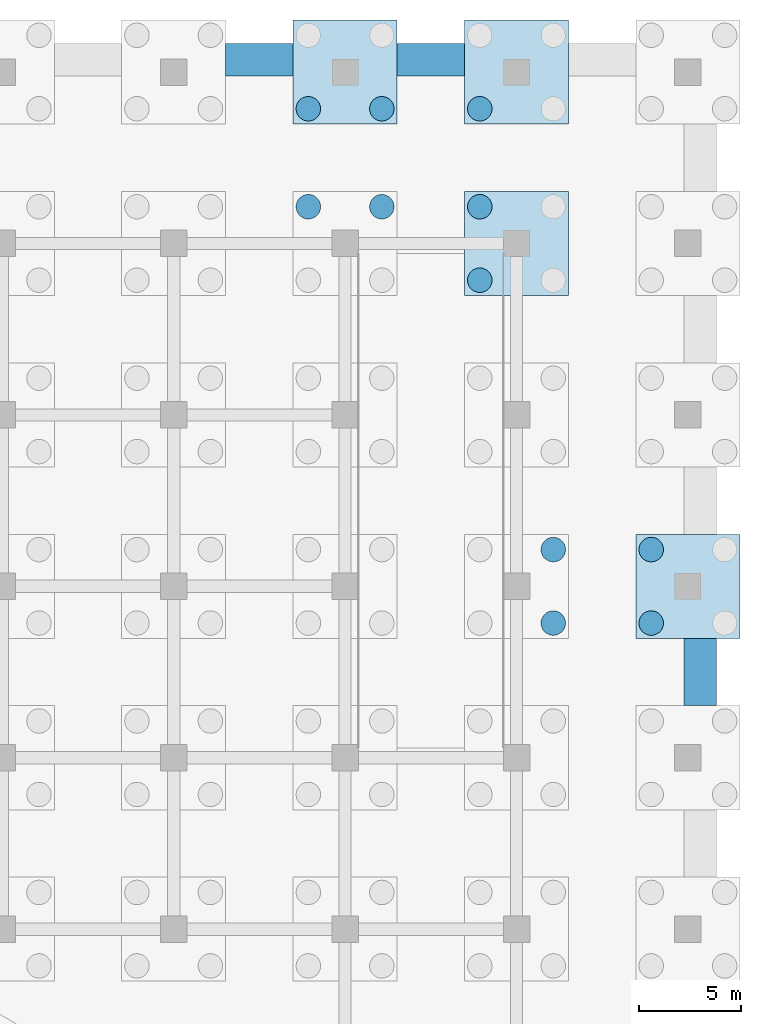
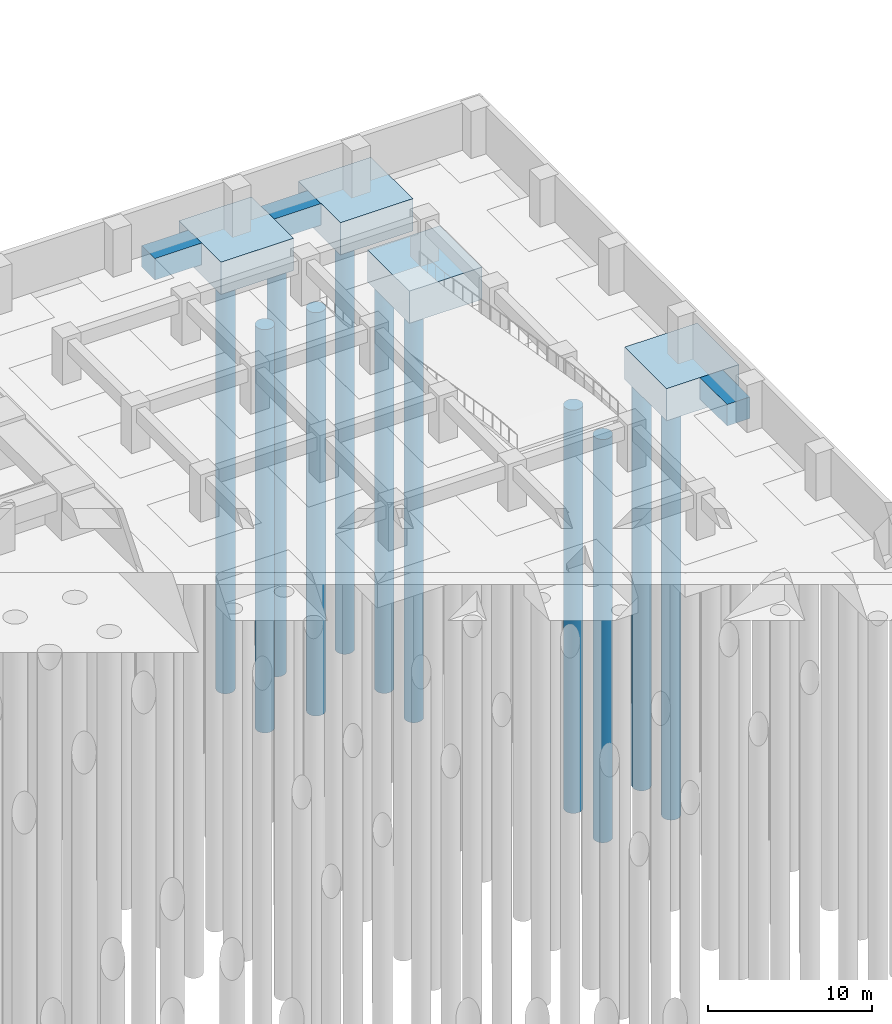
# One storey, part 45 of 73: 11 piles, 7 footings.
"""IFC4 building model written with IfcOpenShell, lengths in metres."""

from ifc_helpers import new_model, si_unit, direction, frame, origin, origin_2d, place, context, subcontext, project, spatial, polyline, circle, outline, extrude, material, material_profile, profile_set, type_object, element, save


model = new_model("IFC4")

# Units and contexts
model_context = context("Model", 3, precision=1e-05, world=origin(), true_north=direction((0.0, 1.0)))
body_context = subcontext(model_context, "Body", "Model", "MODEL_VIEW")
ifc_project = project(units=[si_unit("LENGTHUNIT", "METRE"), si_unit("AREAUNIT", "SQUARE_METRE"), si_unit("VOLUMEUNIT", "CUBIC_METRE"), si_unit("PLANEANGLEUNIT", "RADIAN"), si_unit("MASSUNIT", "GRAM", prefix="KILO")], contexts=[model_context])

# Site, building, storey
site_placement = place(None, origin())
site = spatial("IfcSite", under=ifc_project, at=site_placement, CompositionType="ELEMENT")
building_placement = place(site_placement, origin())
building = spatial("IfcBuilding", under=site, at=building_placement, Name="Impinga Residences", CompositionType="ELEMENT")
storey_placement = place(building_placement, frame((0.0, 0.0, -10.5)))
storey = spatial("IfcBuildingStorey", under=building, at=storey_placement, Name="B3", CompositionType="ELEMENT", Elevation=-10.5)

# Piles
ifc_material_1 = material(Name="Concrete C35/45", Category="concrete")
ifc_material_profile = material_profile(ifc_material_1, circle(Radius=0.60009765625, at=origin_2d()), Name="D1200")
ifc_profile_set = profile_set([ifc_material_profile], Name="Concrete C35/45")
pile_type = type_object("IfcPileType", Name="BP2 bored pile D1200", PredefinedType="BORED", material=ifc_profile_set)
pile_1_placement = place(storey_placement, frame((35.39990234375, 43.800048828125, -2.39990234375), z_axis=(0.0, 0.0, -1.0), x_axis=(1.0, 0.0, 0.0)))
element("IfcPile", 1, at=pile_1_placement, inside=storey, type_object=pile_type, Name="Cap pile BP2 11/L-3", PredefinedType="BORED", context=body_context, shape_type="SweptSolid", body=[
    extrude(outline(polyline([(0.60009765625, 0.0), (0.59716796875, 0.058837890625), (0.58837890625, 0.116943359375), (0.57421875, 0.174072265625), (0.554443359375, 0.2294921875), (0.529052734375, 0.282958984375), (0.498779296875, 0.333251953125), (0.4638671875, 0.380615234375), (0.42431640625, 0.42431640625), (0.380615234375, 0.4638671875), (0.333251953125, 0.498779296875), (0.282958984375, 0.529052734375), (0.2294921875, 0.554443359375), (0.174072265625, 0.57421875), (0.116943359375, 0.58837890625), (0.058837890625, 0.59716796875), (0.0, 0.60009765625), (-0.058837890625, 0.59716796875), (-0.116943359375, 0.58837890625), (-0.174072265625, 0.57421875), (-0.2294921875, 0.554443359375), (-0.282958984375, 0.529052734375), (-0.333251953125, 0.498779296875), (-0.380615234375, 0.4638671875), (-0.42431640625, 0.42431640625), (-0.4638671875, 0.380615234375), (-0.498779296875, 0.333251953125), (-0.529052734375, 0.282958984375), (-0.554443359375, 0.2294921875), (-0.57421875, 0.174072265625), (-0.58837890625, 0.116943359375), (-0.59716796875, 0.058837890625), (-0.60009765625, 0.0), (-0.59716796875, -0.058837890625), (-0.58837890625, -0.116943359375), (-0.57421875, -0.174072265625), (-0.554443359375, -0.2294921875), (-0.529052734375, -0.282958984375), (-0.498779296875, -0.333251953125), (-0.4638671875, -0.380615234375), (-0.42431640625, -0.42431640625), (-0.380615234375, -0.4638671875), (-0.333251953125, -0.498779296875), (-0.282958984375, -0.529052734375), (-0.2294921875, -0.554443359375), (-0.174072265625, -0.57421875), (-0.116943359375, -0.58837890625), (-0.058837890625, -0.59716796875), (0.0, -0.60009765625), (0.058837890625, -0.59716796875), (0.116943359375, -0.58837890625), (0.174072265625, -0.57421875), (0.2294921875, -0.554443359375), (0.282958984375, -0.529052734375), (0.333251953125, -0.498779296875), (0.380615234375, -0.4638671875), (0.42431640625, -0.42431640625), (0.4638671875, -0.380615234375), (0.498779296875, -0.333251953125), (0.529052734375, -0.282958984375), (0.554443359375, -0.2294921875), (0.57421875, -0.174072265625), (0.58837890625, -0.116943359375), (0.59716796875, -0.058837890625), (0.60009765625, 0.0)])), origin(), (0.0, 0.0, 1.0), 30.0),
])
pile_2_placement = place(storey_placement, frame((31.800048828125, 43.800048828125, -2.39990234375), z_axis=(0.0, 0.0, -1.0), x_axis=(1.0, 0.0, 0.0)))
element("IfcPile", 2, at=pile_2_placement, inside=storey, type_object=pile_type, Name="Cap pile BP2 11/L-4", PredefinedType="BORED", context=body_context, shape_type="SweptSolid", body=[
    extrude(outline(polyline([(0.60009765625, 0.0), (0.59716796875, 0.058837890625), (0.58837890625, 0.116943359375), (0.57421875, 0.174072265625), (0.554443359375, 0.2294921875), (0.529052734375, 0.282958984375), (0.498779296875, 0.333251953125), (0.4638671875, 0.380615234375), (0.42431640625, 0.42431640625), (0.380615234375, 0.4638671875), (0.333251953125, 0.498779296875), (0.282958984375, 0.529052734375), (0.2294921875, 0.554443359375), (0.174072265625, 0.57421875), (0.116943359375, 0.58837890625), (0.058837890625, 0.59716796875), (0.0, 0.60009765625), (-0.058837890625, 0.59716796875), (-0.116943359375, 0.58837890625), (-0.174072265625, 0.57421875), (-0.2294921875, 0.554443359375), (-0.282958984375, 0.529052734375), (-0.333251953125, 0.498779296875), (-0.380615234375, 0.4638671875), (-0.42431640625, 0.42431640625), (-0.4638671875, 0.380615234375), (-0.498779296875, 0.333251953125), (-0.529052734375, 0.282958984375), (-0.554443359375, 0.2294921875), (-0.57421875, 0.174072265625), (-0.58837890625, 0.116943359375), (-0.59716796875, 0.058837890625), (-0.60009765625, 0.0), (-0.59716796875, -0.058837890625), (-0.58837890625, -0.116943359375), (-0.57421875, -0.174072265625), (-0.554443359375, -0.2294921875), (-0.529052734375, -0.282958984375), (-0.498779296875, -0.333251953125), (-0.4638671875, -0.380615234375), (-0.42431640625, -0.42431640625), (-0.380615234375, -0.4638671875), (-0.333251953125, -0.498779296875), (-0.282958984375, -0.529052734375), (-0.2294921875, -0.554443359375), (-0.174072265625, -0.57421875), (-0.116943359375, -0.58837890625), (-0.058837890625, -0.59716796875), (0.0, -0.60009765625), (0.058837890625, -0.59716796875), (0.116943359375, -0.58837890625), (0.174072265625, -0.57421875), (0.2294921875, -0.554443359375), (0.282958984375, -0.529052734375), (0.333251953125, -0.498779296875), (0.380615234375, -0.4638671875), (0.42431640625, -0.42431640625), (0.4638671875, -0.380615234375), (0.498779296875, -0.333251953125), (0.529052734375, -0.282958984375), (0.554443359375, -0.2294921875), (0.57421875, -0.174072265625), (0.58837890625, -0.116943359375), (0.59716796875, -0.058837890625), (0.60009765625, 0.0)])), origin(), (0.0, 0.0, 1.0), 30.0),
])
pile_3_placement = place(storey_placement, frame((31.800048828125, 48.60009765625, -2.39990234375), z_axis=(0.0, 0.0, -1.0), x_axis=(1.0, 0.0, 0.0)))
element("IfcPile", 3, at=pile_3_placement, inside=storey, type_object=pile_type, Name="Cap pile BP2 11/M-1", PredefinedType="BORED", context=body_context, shape_type="SweptSolid", body=[
    extrude(outline(polyline([(0.60009765625, 0.0), (0.59716796875, 0.058837890625), (0.58837890625, 0.116943359375), (0.57421875, 0.174072265625), (0.554443359375, 0.2294921875), (0.529052734375, 0.282958984375), (0.498779296875, 0.333251953125), (0.4638671875, 0.380615234375), (0.42431640625, 0.42431640625), (0.380615234375, 0.4638671875), (0.333251953125, 0.498779296875), (0.282958984375, 0.529052734375), (0.2294921875, 0.554443359375), (0.174072265625, 0.57421875), (0.116943359375, 0.58837890625), (0.058837890625, 0.59716796875), (0.0, 0.60009765625), (-0.058837890625, 0.59716796875), (-0.116943359375, 0.58837890625), (-0.174072265625, 0.57421875), (-0.2294921875, 0.554443359375), (-0.282958984375, 0.529052734375), (-0.333251953125, 0.498779296875), (-0.380615234375, 0.4638671875), (-0.42431640625, 0.42431640625), (-0.4638671875, 0.380615234375), (-0.498779296875, 0.333251953125), (-0.529052734375, 0.282958984375), (-0.554443359375, 0.2294921875), (-0.57421875, 0.174072265625), (-0.58837890625, 0.116943359375), (-0.59716796875, 0.058837890625), (-0.60009765625, 0.0), (-0.59716796875, -0.058837890625), (-0.58837890625, -0.116943359375), (-0.57421875, -0.174072265625), (-0.554443359375, -0.2294921875), (-0.529052734375, -0.282958984375), (-0.498779296875, -0.333251953125), (-0.4638671875, -0.380615234375), (-0.42431640625, -0.42431640625), (-0.380615234375, -0.4638671875), (-0.333251953125, -0.498779296875), (-0.282958984375, -0.529052734375), (-0.2294921875, -0.554443359375), (-0.174072265625, -0.57421875), (-0.116943359375, -0.58837890625), (-0.058837890625, -0.59716796875), (0.0, -0.60009765625), (0.058837890625, -0.59716796875), (0.116943359375, -0.58837890625), (0.174072265625, -0.57421875), (0.2294921875, -0.554443359375), (0.282958984375, -0.529052734375), (0.333251953125, -0.498779296875), (0.380615234375, -0.4638671875), (0.42431640625, -0.42431640625), (0.4638671875, -0.380615234375), (0.498779296875, -0.333251953125), (0.529052734375, -0.282958984375), (0.554443359375, -0.2294921875), (0.57421875, -0.174072265625), (0.58837890625, -0.116943359375), (0.59716796875, -0.058837890625), (0.60009765625, 0.0)])), origin(), (0.0, 0.0, 1.0), 30.0),
])
pile_4_placement = place(storey_placement, frame((35.39990234375, 48.60009765625, -2.39990234375), z_axis=(0.0, 0.0, -1.0), x_axis=(1.0, 0.0, 0.0)))
element("IfcPile", 4, at=pile_4_placement, inside=storey, type_object=pile_type, Name="Cap pile BP2 11/M-2", PredefinedType="BORED", context=body_context, shape_type="SweptSolid", body=[
    extrude(outline(polyline([(0.60009765625, 0.0), (0.59716796875, 0.058837890625), (0.58837890625, 0.116943359375), (0.57421875, 0.174072265625), (0.554443359375, 0.2294921875), (0.529052734375, 0.282958984375), (0.498779296875, 0.333251953125), (0.4638671875, 0.380615234375), (0.42431640625, 0.42431640625), (0.380615234375, 0.4638671875), (0.333251953125, 0.498779296875), (0.282958984375, 0.529052734375), (0.2294921875, 0.554443359375), (0.174072265625, 0.57421875), (0.116943359375, 0.58837890625), (0.058837890625, 0.59716796875), (0.0, 0.60009765625), (-0.058837890625, 0.59716796875), (-0.116943359375, 0.58837890625), (-0.174072265625, 0.57421875), (-0.2294921875, 0.554443359375), (-0.282958984375, 0.529052734375), (-0.333251953125, 0.498779296875), (-0.380615234375, 0.4638671875), (-0.42431640625, 0.42431640625), (-0.4638671875, 0.380615234375), (-0.498779296875, 0.333251953125), (-0.529052734375, 0.282958984375), (-0.554443359375, 0.2294921875), (-0.57421875, 0.174072265625), (-0.58837890625, 0.116943359375), (-0.59716796875, 0.058837890625), (-0.60009765625, 0.0), (-0.59716796875, -0.058837890625), (-0.58837890625, -0.116943359375), (-0.57421875, -0.174072265625), (-0.554443359375, -0.2294921875), (-0.529052734375, -0.282958984375), (-0.498779296875, -0.333251953125), (-0.4638671875, -0.380615234375), (-0.42431640625, -0.42431640625), (-0.380615234375, -0.4638671875), (-0.333251953125, -0.498779296875), (-0.282958984375, -0.529052734375), (-0.2294921875, -0.554443359375), (-0.174072265625, -0.57421875), (-0.116943359375, -0.58837890625), (-0.058837890625, -0.59716796875), (0.0, -0.60009765625), (0.058837890625, -0.59716796875), (0.116943359375, -0.58837890625), (0.174072265625, -0.57421875), (0.2294921875, -0.554443359375), (0.282958984375, -0.529052734375), (0.333251953125, -0.498779296875), (0.380615234375, -0.4638671875), (0.42431640625, -0.42431640625), (0.4638671875, -0.380615234375), (0.498779296875, -0.333251953125), (0.529052734375, -0.282958984375), (0.554443359375, -0.2294921875), (0.57421875, -0.174072265625), (0.58837890625, -0.116943359375), (0.59716796875, -0.058837890625), (0.60009765625, 0.0)])), origin(), (0.0, 0.0, 1.0), 30.0),
])
pile_5_placement = place(storey_placement, frame((43.800048828125, 23.39990234375, -2.39990234375), z_axis=(0.0, 0.0, -1.0), x_axis=(1.0, 0.0, 0.0)))
element("IfcPile", 5, at=pile_5_placement, inside=storey, type_object=pile_type, Name="Cap pile BP2 12/J-2", PredefinedType="BORED", context=body_context, shape_type="SweptSolid", body=[
    extrude(outline(polyline([(0.60009765625, 0.0), (0.59716796875, 0.058837890625), (0.58837890625, 0.116943359375), (0.57421875, 0.174072265625), (0.554443359375, 0.2294921875), (0.529052734375, 0.282958984375), (0.498779296875, 0.333251953125), (0.4638671875, 0.380615234375), (0.42431640625, 0.42431640625), (0.380615234375, 0.4638671875), (0.333251953125, 0.498779296875), (0.282958984375, 0.529052734375), (0.2294921875, 0.554443359375), (0.174072265625, 0.57421875), (0.116943359375, 0.58837890625), (0.058837890625, 0.59716796875), (0.0, 0.60009765625), (-0.058837890625, 0.59716796875), (-0.116943359375, 0.58837890625), (-0.174072265625, 0.57421875), (-0.2294921875, 0.554443359375), (-0.282958984375, 0.529052734375), (-0.333251953125, 0.498779296875), (-0.380615234375, 0.4638671875), (-0.42431640625, 0.42431640625), (-0.4638671875, 0.380615234375), (-0.498779296875, 0.333251953125), (-0.529052734375, 0.282958984375), (-0.554443359375, 0.2294921875), (-0.57421875, 0.174072265625), (-0.58837890625, 0.116943359375), (-0.59716796875, 0.058837890625), (-0.60009765625, 0.0), (-0.59716796875, -0.058837890625), (-0.58837890625, -0.116943359375), (-0.57421875, -0.174072265625), (-0.554443359375, -0.2294921875), (-0.529052734375, -0.282958984375), (-0.498779296875, -0.333251953125), (-0.4638671875, -0.380615234375), (-0.42431640625, -0.42431640625), (-0.380615234375, -0.4638671875), (-0.333251953125, -0.498779296875), (-0.282958984375, -0.529052734375), (-0.2294921875, -0.554443359375), (-0.174072265625, -0.57421875), (-0.116943359375, -0.58837890625), (-0.058837890625, -0.59716796875), (0.0, -0.60009765625), (0.058837890625, -0.59716796875), (0.116943359375, -0.58837890625), (0.174072265625, -0.57421875), (0.2294921875, -0.554443359375), (0.282958984375, -0.529052734375), (0.333251953125, -0.498779296875), (0.380615234375, -0.4638671875), (0.42431640625, -0.42431640625), (0.4638671875, -0.380615234375), (0.498779296875, -0.333251953125), (0.529052734375, -0.282958984375), (0.554443359375, -0.2294921875), (0.57421875, -0.174072265625), (0.58837890625, -0.116943359375), (0.59716796875, -0.058837890625), (0.60009765625, 0.0)])), origin(), (0.0, 0.0, 1.0), 30.0),
])
pile_6_placement = place(storey_placement, frame((43.800048828125, 27.0, -2.39990234375), z_axis=(0.0, 0.0, -1.0), x_axis=(1.0, 0.0, 0.0)))
element("IfcPile", 6, at=pile_6_placement, inside=storey, type_object=pile_type, Name="Cap pile BP2 12/J-3", PredefinedType="BORED", context=body_context, shape_type="SweptSolid", body=[
    extrude(outline(polyline([(0.60009765625, 0.0), (0.59716796875, 0.058837890625), (0.58837890625, 0.116943359375), (0.57421875, 0.174072265625), (0.554443359375, 0.2294921875), (0.529052734375, 0.282958984375), (0.498779296875, 0.333251953125), (0.4638671875, 0.380615234375), (0.42431640625, 0.42431640625), (0.380615234375, 0.4638671875), (0.333251953125, 0.498779296875), (0.282958984375, 0.529052734375), (0.2294921875, 0.554443359375), (0.174072265625, 0.57421875), (0.116943359375, 0.58837890625), (0.058837890625, 0.59716796875), (0.0, 0.60009765625), (-0.058837890625, 0.59716796875), (-0.116943359375, 0.58837890625), (-0.174072265625, 0.57421875), (-0.2294921875, 0.554443359375), (-0.282958984375, 0.529052734375), (-0.333251953125, 0.498779296875), (-0.380615234375, 0.4638671875), (-0.42431640625, 0.42431640625), (-0.4638671875, 0.380615234375), (-0.498779296875, 0.333251953125), (-0.529052734375, 0.282958984375), (-0.554443359375, 0.2294921875), (-0.57421875, 0.174072265625), (-0.58837890625, 0.116943359375), (-0.59716796875, 0.058837890625), (-0.60009765625, 0.0), (-0.59716796875, -0.058837890625), (-0.58837890625, -0.116943359375), (-0.57421875, -0.174072265625), (-0.554443359375, -0.2294921875), (-0.529052734375, -0.282958984375), (-0.498779296875, -0.333251953125), (-0.4638671875, -0.380615234375), (-0.42431640625, -0.42431640625), (-0.380615234375, -0.4638671875), (-0.333251953125, -0.498779296875), (-0.282958984375, -0.529052734375), (-0.2294921875, -0.554443359375), (-0.174072265625, -0.57421875), (-0.116943359375, -0.58837890625), (-0.058837890625, -0.59716796875), (0.0, -0.60009765625), (0.058837890625, -0.59716796875), (0.116943359375, -0.58837890625), (0.174072265625, -0.57421875), (0.2294921875, -0.554443359375), (0.282958984375, -0.529052734375), (0.333251953125, -0.498779296875), (0.380615234375, -0.4638671875), (0.42431640625, -0.42431640625), (0.4638671875, -0.380615234375), (0.498779296875, -0.333251953125), (0.529052734375, -0.282958984375), (0.554443359375, -0.2294921875), (0.57421875, -0.174072265625), (0.58837890625, -0.116943359375), (0.59716796875, -0.058837890625), (0.60009765625, 0.0)])), origin(), (0.0, 0.0, 1.0), 30.0),
])
pile_7_placement = place(storey_placement, frame((40.199951171875, 40.199951171875, -2.39990234375), z_axis=(0.0, 0.0, -1.0), x_axis=(1.0, 0.0, 0.0)))
element("IfcPile", 7, at=pile_7_placement, inside=storey, type_object=pile_type, Name="Cap pile BP2 12/L-1", PredefinedType="BORED", context=body_context, shape_type="SweptSolid", body=[
    extrude(outline(polyline([(0.60009765625, 0.0), (0.59716796875, 0.058837890625), (0.58837890625, 0.116943359375), (0.57421875, 0.174072265625), (0.554443359375, 0.2294921875), (0.529052734375, 0.282958984375), (0.498779296875, 0.333251953125), (0.4638671875, 0.380615234375), (0.42431640625, 0.42431640625), (0.380615234375, 0.4638671875), (0.333251953125, 0.498779296875), (0.282958984375, 0.529052734375), (0.2294921875, 0.554443359375), (0.174072265625, 0.57421875), (0.116943359375, 0.58837890625), (0.058837890625, 0.59716796875), (0.0, 0.60009765625), (-0.058837890625, 0.59716796875), (-0.116943359375, 0.58837890625), (-0.174072265625, 0.57421875), (-0.2294921875, 0.554443359375), (-0.282958984375, 0.529052734375), (-0.333251953125, 0.498779296875), (-0.380615234375, 0.4638671875), (-0.42431640625, 0.42431640625), (-0.4638671875, 0.380615234375), (-0.498779296875, 0.333251953125), (-0.529052734375, 0.282958984375), (-0.554443359375, 0.2294921875), (-0.57421875, 0.174072265625), (-0.58837890625, 0.116943359375), (-0.59716796875, 0.058837890625), (-0.60009765625, 0.0), (-0.59716796875, -0.058837890625), (-0.58837890625, -0.116943359375), (-0.57421875, -0.174072265625), (-0.554443359375, -0.2294921875), (-0.529052734375, -0.282958984375), (-0.498779296875, -0.333251953125), (-0.4638671875, -0.380615234375), (-0.42431640625, -0.42431640625), (-0.380615234375, -0.4638671875), (-0.333251953125, -0.498779296875), (-0.282958984375, -0.529052734375), (-0.2294921875, -0.554443359375), (-0.174072265625, -0.57421875), (-0.116943359375, -0.58837890625), (-0.058837890625, -0.59716796875), (0.0, -0.60009765625), (0.058837890625, -0.59716796875), (0.116943359375, -0.58837890625), (0.174072265625, -0.57421875), (0.2294921875, -0.554443359375), (0.282958984375, -0.529052734375), (0.333251953125, -0.498779296875), (0.380615234375, -0.4638671875), (0.42431640625, -0.42431640625), (0.4638671875, -0.380615234375), (0.498779296875, -0.333251953125), (0.529052734375, -0.282958984375), (0.554443359375, -0.2294921875), (0.57421875, -0.174072265625), (0.58837890625, -0.116943359375), (0.59716796875, -0.058837890625), (0.60009765625, 0.0)])), origin(), (0.0, 0.0, 1.0), 30.0),
])
pile_8_placement = place(storey_placement, frame((40.199951171875, 43.800048828125, -2.39990234375), z_axis=(0.0, 0.0, -1.0), x_axis=(1.0, 0.0, 0.0)))
element("IfcPile", 8, at=pile_8_placement, inside=storey, type_object=pile_type, Name="Cap pile BP2 12/L-4", PredefinedType="BORED", context=body_context, shape_type="SweptSolid", body=[
    extrude(outline(polyline([(0.60009765625, 0.0), (0.59716796875, 0.058837890625), (0.58837890625, 0.116943359375), (0.57421875, 0.174072265625), (0.554443359375, 0.2294921875), (0.529052734375, 0.282958984375), (0.498779296875, 0.333251953125), (0.4638671875, 0.380615234375), (0.42431640625, 0.42431640625), (0.380615234375, 0.4638671875), (0.333251953125, 0.498779296875), (0.282958984375, 0.529052734375), (0.2294921875, 0.554443359375), (0.174072265625, 0.57421875), (0.116943359375, 0.58837890625), (0.058837890625, 0.59716796875), (0.0, 0.60009765625), (-0.058837890625, 0.59716796875), (-0.116943359375, 0.58837890625), (-0.174072265625, 0.57421875), (-0.2294921875, 0.554443359375), (-0.282958984375, 0.529052734375), (-0.333251953125, 0.498779296875), (-0.380615234375, 0.4638671875), (-0.42431640625, 0.42431640625), (-0.4638671875, 0.380615234375), (-0.498779296875, 0.333251953125), (-0.529052734375, 0.282958984375), (-0.554443359375, 0.2294921875), (-0.57421875, 0.174072265625), (-0.58837890625, 0.116943359375), (-0.59716796875, 0.058837890625), (-0.60009765625, 0.0), (-0.59716796875, -0.058837890625), (-0.58837890625, -0.116943359375), (-0.57421875, -0.174072265625), (-0.554443359375, -0.2294921875), (-0.529052734375, -0.282958984375), (-0.498779296875, -0.333251953125), (-0.4638671875, -0.380615234375), (-0.42431640625, -0.42431640625), (-0.380615234375, -0.4638671875), (-0.333251953125, -0.498779296875), (-0.282958984375, -0.529052734375), (-0.2294921875, -0.554443359375), (-0.174072265625, -0.57421875), (-0.116943359375, -0.58837890625), (-0.058837890625, -0.59716796875), (0.0, -0.60009765625), (0.058837890625, -0.59716796875), (0.116943359375, -0.58837890625), (0.174072265625, -0.57421875), (0.2294921875, -0.554443359375), (0.282958984375, -0.529052734375), (0.333251953125, -0.498779296875), (0.380615234375, -0.4638671875), (0.42431640625, -0.42431640625), (0.4638671875, -0.380615234375), (0.498779296875, -0.333251953125), (0.529052734375, -0.282958984375), (0.554443359375, -0.2294921875), (0.57421875, -0.174072265625), (0.58837890625, -0.116943359375), (0.59716796875, -0.058837890625), (0.60009765625, 0.0)])), origin(), (0.0, 0.0, 1.0), 30.0),
])
pile_9_placement = place(storey_placement, frame((40.199951171875, 48.60009765625, -2.39990234375), z_axis=(0.0, 0.0, -1.0), x_axis=(1.0, 0.0, 0.0)))
element("IfcPile", 9, at=pile_9_placement, inside=storey, type_object=pile_type, Name="Cap pile BP2 12/M-1", PredefinedType="BORED", context=body_context, shape_type="SweptSolid", body=[
    extrude(outline(polyline([(0.60009765625, 0.0), (0.59716796875, 0.058837890625), (0.58837890625, 0.116943359375), (0.57421875, 0.174072265625), (0.554443359375, 0.2294921875), (0.529052734375, 0.282958984375), (0.498779296875, 0.333251953125), (0.4638671875, 0.380615234375), (0.42431640625, 0.42431640625), (0.380615234375, 0.4638671875), (0.333251953125, 0.498779296875), (0.282958984375, 0.529052734375), (0.2294921875, 0.554443359375), (0.174072265625, 0.57421875), (0.116943359375, 0.58837890625), (0.058837890625, 0.59716796875), (0.0, 0.60009765625), (-0.058837890625, 0.59716796875), (-0.116943359375, 0.58837890625), (-0.174072265625, 0.57421875), (-0.2294921875, 0.554443359375), (-0.282958984375, 0.529052734375), (-0.333251953125, 0.498779296875), (-0.380615234375, 0.4638671875), (-0.42431640625, 0.42431640625), (-0.4638671875, 0.380615234375), (-0.498779296875, 0.333251953125), (-0.529052734375, 0.282958984375), (-0.554443359375, 0.2294921875), (-0.57421875, 0.174072265625), (-0.58837890625, 0.116943359375), (-0.59716796875, 0.058837890625), (-0.60009765625, 0.0), (-0.59716796875, -0.058837890625), (-0.58837890625, -0.116943359375), (-0.57421875, -0.174072265625), (-0.554443359375, -0.2294921875), (-0.529052734375, -0.282958984375), (-0.498779296875, -0.333251953125), (-0.4638671875, -0.380615234375), (-0.42431640625, -0.42431640625), (-0.380615234375, -0.4638671875), (-0.333251953125, -0.498779296875), (-0.282958984375, -0.529052734375), (-0.2294921875, -0.554443359375), (-0.174072265625, -0.57421875), (-0.116943359375, -0.58837890625), (-0.058837890625, -0.59716796875), (0.0, -0.60009765625), (0.058837890625, -0.59716796875), (0.116943359375, -0.58837890625), (0.174072265625, -0.57421875), (0.2294921875, -0.554443359375), (0.282958984375, -0.529052734375), (0.333251953125, -0.498779296875), (0.380615234375, -0.4638671875), (0.42431640625, -0.42431640625), (0.4638671875, -0.380615234375), (0.498779296875, -0.333251953125), (0.529052734375, -0.282958984375), (0.554443359375, -0.2294921875), (0.57421875, -0.174072265625), (0.58837890625, -0.116943359375), (0.59716796875, -0.058837890625), (0.60009765625, 0.0)])), origin(), (0.0, 0.0, 1.0), 30.0),
])
pile_10_placement = place(storey_placement, frame((48.60009765625, 23.39990234375, -2.39990234375), z_axis=(0.0, 0.0, -1.0), x_axis=(1.0, 0.0, 0.0)))
element("IfcPile", 10, at=pile_10_placement, inside=storey, type_object=pile_type, Name="Cap pile BP2 13/J-1", PredefinedType="BORED", context=body_context, shape_type="SweptSolid", body=[
    extrude(outline(polyline([(0.60009765625, 0.0), (0.59716796875, 0.058837890625), (0.58837890625, 0.116943359375), (0.57421875, 0.174072265625), (0.554443359375, 0.2294921875), (0.529052734375, 0.282958984375), (0.498779296875, 0.333251953125), (0.4638671875, 0.380615234375), (0.42431640625, 0.42431640625), (0.380615234375, 0.4638671875), (0.333251953125, 0.498779296875), (0.282958984375, 0.529052734375), (0.2294921875, 0.554443359375), (0.174072265625, 0.57421875), (0.116943359375, 0.58837890625), (0.058837890625, 0.59716796875), (0.0, 0.60009765625), (-0.058837890625, 0.59716796875), (-0.116943359375, 0.58837890625), (-0.174072265625, 0.57421875), (-0.2294921875, 0.554443359375), (-0.282958984375, 0.529052734375), (-0.333251953125, 0.498779296875), (-0.380615234375, 0.4638671875), (-0.42431640625, 0.42431640625), (-0.4638671875, 0.380615234375), (-0.498779296875, 0.333251953125), (-0.529052734375, 0.282958984375), (-0.554443359375, 0.2294921875), (-0.57421875, 0.174072265625), (-0.58837890625, 0.116943359375), (-0.59716796875, 0.058837890625), (-0.60009765625, 0.0), (-0.59716796875, -0.058837890625), (-0.58837890625, -0.116943359375), (-0.57421875, -0.174072265625), (-0.554443359375, -0.2294921875), (-0.529052734375, -0.282958984375), (-0.498779296875, -0.333251953125), (-0.4638671875, -0.380615234375), (-0.42431640625, -0.42431640625), (-0.380615234375, -0.4638671875), (-0.333251953125, -0.498779296875), (-0.282958984375, -0.529052734375), (-0.2294921875, -0.554443359375), (-0.174072265625, -0.57421875), (-0.116943359375, -0.58837890625), (-0.058837890625, -0.59716796875), (0.0, -0.60009765625), (0.058837890625, -0.59716796875), (0.116943359375, -0.58837890625), (0.174072265625, -0.57421875), (0.2294921875, -0.554443359375), (0.282958984375, -0.529052734375), (0.333251953125, -0.498779296875), (0.380615234375, -0.4638671875), (0.42431640625, -0.42431640625), (0.4638671875, -0.380615234375), (0.498779296875, -0.333251953125), (0.529052734375, -0.282958984375), (0.554443359375, -0.2294921875), (0.57421875, -0.174072265625), (0.58837890625, -0.116943359375), (0.59716796875, -0.058837890625), (0.60009765625, 0.0)])), origin(), (0.0, 0.0, 1.0), 30.0),
])
pile_11_placement = place(storey_placement, frame((48.60009765625, 27.0, -2.39990234375), z_axis=(0.0, 0.0, -1.0), x_axis=(1.0, 0.0, 0.0)))
element("IfcPile", 11, at=pile_11_placement, inside=storey, type_object=pile_type, Name="Cap pile BP2 13/J-4", PredefinedType="BORED", context=body_context, shape_type="SweptSolid", body=[
    extrude(outline(polyline([(0.60009765625, 0.0), (0.59716796875, 0.058837890625), (0.58837890625, 0.116943359375), (0.57421875, 0.174072265625), (0.554443359375, 0.2294921875), (0.529052734375, 0.282958984375), (0.498779296875, 0.333251953125), (0.4638671875, 0.380615234375), (0.42431640625, 0.42431640625), (0.380615234375, 0.4638671875), (0.333251953125, 0.498779296875), (0.282958984375, 0.529052734375), (0.2294921875, 0.554443359375), (0.174072265625, 0.57421875), (0.116943359375, 0.58837890625), (0.058837890625, 0.59716796875), (0.0, 0.60009765625), (-0.058837890625, 0.59716796875), (-0.116943359375, 0.58837890625), (-0.174072265625, 0.57421875), (-0.2294921875, 0.554443359375), (-0.282958984375, 0.529052734375), (-0.333251953125, 0.498779296875), (-0.380615234375, 0.4638671875), (-0.42431640625, 0.42431640625), (-0.4638671875, 0.380615234375), (-0.498779296875, 0.333251953125), (-0.529052734375, 0.282958984375), (-0.554443359375, 0.2294921875), (-0.57421875, 0.174072265625), (-0.58837890625, 0.116943359375), (-0.59716796875, 0.058837890625), (-0.60009765625, 0.0), (-0.59716796875, -0.058837890625), (-0.58837890625, -0.116943359375), (-0.57421875, -0.174072265625), (-0.554443359375, -0.2294921875), (-0.529052734375, -0.282958984375), (-0.498779296875, -0.333251953125), (-0.4638671875, -0.380615234375), (-0.42431640625, -0.42431640625), (-0.380615234375, -0.4638671875), (-0.333251953125, -0.498779296875), (-0.282958984375, -0.529052734375), (-0.2294921875, -0.554443359375), (-0.174072265625, -0.57421875), (-0.116943359375, -0.58837890625), (-0.058837890625, -0.59716796875), (0.0, -0.60009765625), (0.058837890625, -0.59716796875), (0.116943359375, -0.58837890625), (0.174072265625, -0.57421875), (0.2294921875, -0.554443359375), (0.282958984375, -0.529052734375), (0.333251953125, -0.498779296875), (0.380615234375, -0.4638671875), (0.42431640625, -0.42431640625), (0.4638671875, -0.380615234375), (0.498779296875, -0.333251953125), (0.529052734375, -0.282958984375), (0.554443359375, -0.2294921875), (0.57421875, -0.174072265625), (0.58837890625, -0.116943359375), (0.59716796875, -0.058837890625), (0.60009765625, 0.0)])), origin(), (0.0, 0.0, 1.0), 30.0),
])

# Footings
ifc_material_2 = material(Name="Concrete C45/55", Category="concrete")
footing_type_1 = type_object("IfcFootingType", Name="PC4 four-pile cap 5100 square 2400 deep", PredefinedType="PILE_CAP", material=ifc_material_2)
footing_1_placement = place(storey_placement, frame((0.0, 0.0, -2.39990234375)))
element("IfcFooting", 12, at=footing_1_placement, inside=storey, type_object=footing_type_1, Name="Pile cap PC4 11/M", PredefinedType="PILE_CAP", context=body_context, shape_type="SweptSolid", body=[
    extrude(outline(polyline([(36.14990234375, 47.85009765625), (36.14990234375, 52.949951171875), (31.050048828125, 52.949951171875), (31.050048828125, 47.85009765625), (36.14990234375, 47.85009765625)])), origin(), (0.0, 0.0, 1.0), 2.39990234375),
])
footing_2_placement = place(storey_placement, frame((0.0, 0.0, -2.39990234375)))
element("IfcFooting", 13, at=footing_2_placement, inside=storey, type_object=footing_type_1, Name="Pile cap PC4 12/L", PredefinedType="PILE_CAP", context=body_context, shape_type="SweptSolid", body=[
    extrude(outline(polyline([(44.550048828125, 39.449951171875), (44.550048828125, 44.550048828125), (39.449951171875, 44.550048828125), (39.449951171875, 39.449951171875), (44.550048828125, 39.449951171875)])), origin(), (0.0, 0.0, 1.0), 2.39990234375),
])
footing_3_placement = place(storey_placement, frame((0.0, 0.0, -2.39990234375)))
element("IfcFooting", 14, at=footing_3_placement, inside=storey, type_object=footing_type_1, Name="Pile cap PC4 12/M", PredefinedType="PILE_CAP", context=body_context, shape_type="SweptSolid", body=[
    extrude(outline(polyline([(44.550048828125, 47.85009765625), (44.550048828125, 52.949951171875), (39.449951171875, 52.949951171875), (39.449951171875, 47.85009765625), (44.550048828125, 47.85009765625)])), origin(), (0.0, 0.0, 1.0), 2.39990234375),
])
footing_4_placement = place(storey_placement, frame((0.0, 0.0, -2.39990234375)))
element("IfcFooting", 15, at=footing_4_placement, inside=storey, type_object=footing_type_1, Name="Pile cap PC4 13/J", PredefinedType="PILE_CAP", context=body_context, shape_type="SweptSolid", body=[
    extrude(outline(polyline([(52.949951171875, 22.64990234375), (52.949951171875, 27.75), (47.85009765625, 27.75), (47.85009765625, 22.64990234375), (52.949951171875, 22.64990234375)])), origin(), (0.0, 0.0, 1.0), 2.39990234375),
])
footing_type_2 = type_object("IfcFootingType", Name="SF1 strip footing 1600 wide 1600 deep", PredefinedType="STRIP_FOOTING", material=ifc_material_2)
footing_5_placement = place(storey_placement, frame((0.0, 0.0, -1.60009765625)))
element("IfcFooting", 16, at=footing_5_placement, inside=storey, type_object=footing_type_2, Name="Strip footing SF1 N 2", PredefinedType="STRIP_FOOTING", context=body_context, shape_type="SweptSolid", body=[
    extrude(outline(polyline([(36.14990234375, 50.199951171875), (36.14990234375, 51.800048828125), (39.449951171875, 51.800048828125), (39.449951171875, 50.199951171875), (36.14990234375, 50.199951171875)])), origin(), (0.0, 0.0, 1.0), 1.60009765625),
])
footing_6_placement = place(storey_placement, frame((0.0, 0.0, -1.60009765625)))
element("IfcFooting", 17, at=footing_6_placement, inside=storey, type_object=footing_type_2, Name="Strip footing SF1 N 3", PredefinedType="STRIP_FOOTING", context=body_context, shape_type="SweptSolid", body=[
    extrude(outline(polyline([(27.75, 50.199951171875), (27.75, 51.800048828125), (31.050048828125, 51.800048828125), (31.050048828125, 50.199951171875), (27.75, 50.199951171875)])), origin(), (0.0, 0.0, 1.0), 1.60009765625),
])
footing_7_placement = place(storey_placement, frame((0.0, 0.0, -1.60009765625)))
element("IfcFooting", 18, at=footing_7_placement, inside=storey, type_object=footing_type_2, Name="Strip footing SF1 E 4", PredefinedType="STRIP_FOOTING", context=body_context, shape_type="SweptSolid", body=[
    extrude(outline(polyline([(51.800048828125, 19.35009765625), (50.199951171875, 19.35009765625), (50.199951171875, 22.64990234375), (51.800048828125, 22.64990234375), (51.800048828125, 19.35009765625)])), origin(), (0.0, 0.0, 1.0), 1.60009765625),
])

save(model, "model.ifc")
